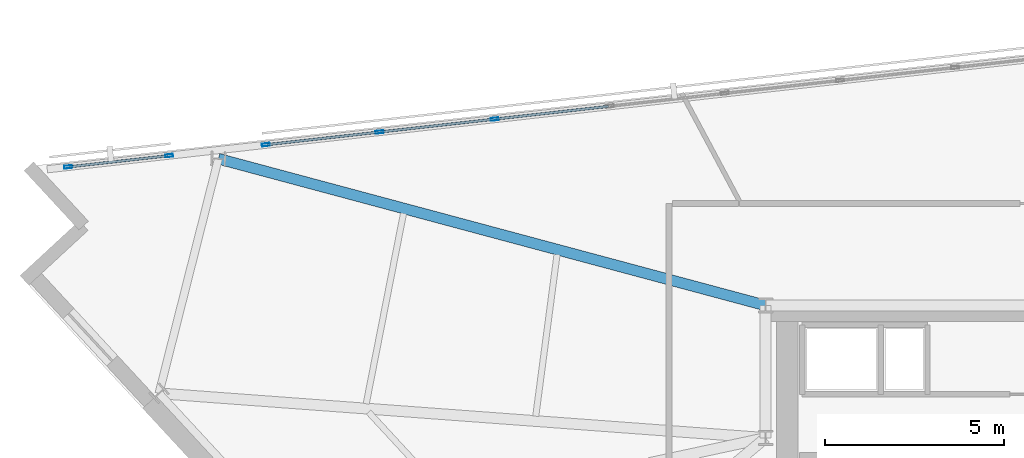
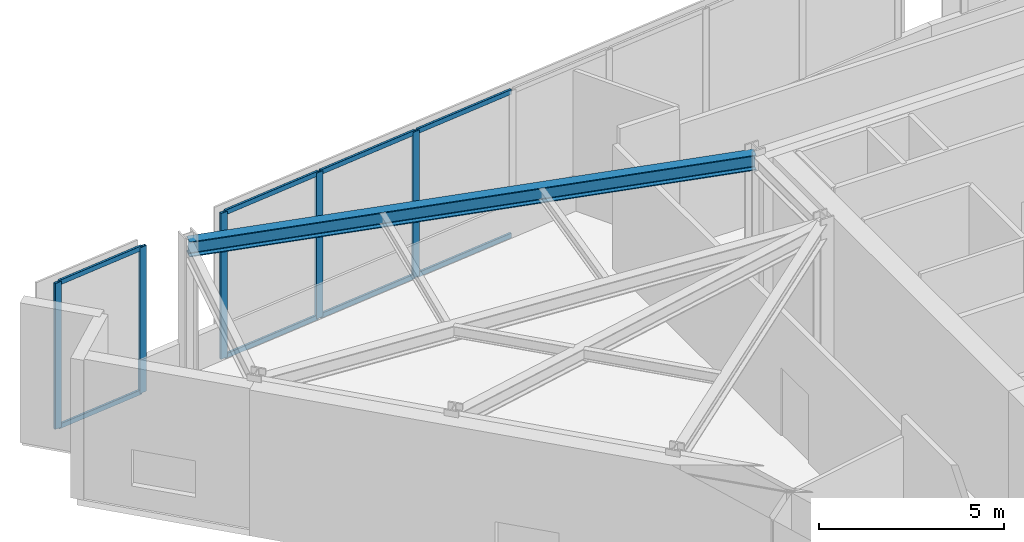
# One storey, part 2 of 12: 13 members, 1 beam, 2 elements without a shape of their own.
"""IFC4 building model written with IfcOpenShell, lengths in metres."""

from ifc_helpers import new_model, si_unit, direction, frame, origin, origin_2d, place, context, subcontext, project, spatial, hollow_rectangle, i_section, extrude, material, material_profile, profile_set, type_object, element, aggregate, save


model = new_model("IFC4")

# Units and contexts
model_context = context("Model", 3, precision=1e-05, world=origin(), true_north=direction((0.0, 1.0)))
body_context = subcontext(model_context, "Body", "Model", "MODEL_VIEW")
ifc_project = project(units=[si_unit("LENGTHUNIT", "METRE"), si_unit("AREAUNIT", "SQUARE_METRE"), si_unit("VOLUMEUNIT", "CUBIC_METRE"), si_unit("PLANEANGLEUNIT", "RADIAN"), si_unit("MASSUNIT", "GRAM", prefix="KILO")], contexts=[model_context])

# Site, building, storey
site_placement = place(None, origin())
site = spatial("IfcSite", under=ifc_project, at=site_placement, CompositionType="ELEMENT")
building_placement = place(site_placement, origin())
building = spatial("IfcBuilding", under=site, at=building_placement, Name="Narakoshi Arena Tower", CompositionType="ELEMENT")
storey_placement = place(building_placement, frame((0.0, 0.0, 298.179931640625)))
storey = spatial("IfcBuildingStorey", under=building, at=storey_placement, Name="L81", CompositionType="ELEMENT", Elevation=298.179931640625)

# Beam
ifc_material_1 = material(Name="Structural steel S355J2", Category="steel")
ifc_material_profile_1 = material_profile(ifc_material_1, i_section(OverallWidth=0.300048828125, OverallDepth=0.5, WebThickness=0.014404296875, FlangeThickness=0.028076171875, FilletRadius=0.027099609375, at=origin_2d()), Name="HE500B")
ifc_profile_set_1 = profile_set([ifc_material_profile_1], Name="Structural steel S355J2")
beam_type = type_object("IfcBeamType", Name="BM-PRI-500", PredefinedType="BEAM", material=ifc_profile_set_1)
beam_placement = place(storey_placement, frame((72.0, 56.5, 4.35009765625), z_axis=(-0.965877018817, 0.259001128418, 0.0), x_axis=(-0.259001128418, -0.965877018817, 0.0)))
element("IfcBeam", 1, at=beam_placement, inside=storey, type_object=beam_type, Name="L81 Radial Primary Floor Girder 08", PredefinedType="BEAM", context=body_context, shape_type="SweptSolid", body=[
    extrude(i_section(OverallWidth=0.300048828125, OverallDepth=0.5, WebThickness=0.014404296875, FlangeThickness=0.028076171875, FilletRadius=0.027099609375, at=origin_2d()), origin(), (0.0, 0.0, 1.0), 15.822998046875),
])

# Curtain wall, members
ifc_material_2 = material(Name="Anodised bronze aluminium 6063-T6", Category="aluminium")
curtain_wall_type = type_object("IfcCurtainWallType", Name="CW-CRN-FACET", PredefinedType="NOTDEFINED", material=ifc_material_2)
curtain_wall_1_placement = place(storey_placement, origin())
curtain_wall_1 = element("IfcCurtainWall", 2, at=curtain_wall_1_placement, inside=storey, type_object=curtain_wall_type, Name="L81 Slanted-Cut Crown Curtain Wall 5-1", PredefinedType="NOTDEFINED")
ifc_material_profile_2 = material_profile(ifc_material_2, hollow_rectangle(XDim=0.080078125, YDim=0.219970703125, WallThickness=0.0048828125, OuterFilletRadius=0.006103515625, at=origin_2d()), Name="MUL220x80x5")
ifc_profile_set_2 = profile_set([ifc_material_profile_2], Name="Anodised bronze aluminium 6063-T6")
member_type_1 = type_object("IfcMemberType", Name="MEM-MUL-220", PredefinedType="MULLION", material=ifc_profile_set_2)
member_1_placement = place(storey_placement, frame((52.522216796875, 60.369384765625, 0.0), z_axis=(0.0, 0.0, 1.0), x_axis=(-0.1113948238, 0.993776228952, 0.0)))
member_1 = element("IfcMember", 3, at=member_1_placement, type_object=member_type_1, Name="CW-06 mullion 1", PredefinedType="MULLION", context=body_context, shape_type="SweptSolid", body=[
    extrude(hollow_rectangle(XDim=0.080078125, YDim=0.219970703125, WallThickness=0.0048828125, OuterFilletRadius=0.006103515625, at=origin_2d()), origin(), (0.0, 0.0, 1.0), 4.800048828125),
])
member_2_placement = place(storey_placement, frame((55.34130859375, 60.685302734375, 0.0), z_axis=(0.0, 0.0, 1.0), x_axis=(-0.1113948238, 0.993776228952, 0.0)))
member_2 = element("IfcMember", 4, at=member_2_placement, type_object=member_type_1, Name="CW-06 mullion 2", PredefinedType="MULLION", context=body_context, shape_type="SweptSolid", body=[
    extrude(hollow_rectangle(XDim=0.080078125, YDim=0.219970703125, WallThickness=0.0048828125, OuterFilletRadius=0.006103515625, at=origin_2d()), origin(), (0.0, 0.0, 1.0), 4.800048828125),
])

curtain_wall_2_placement = place(storey_placement, origin())
curtain_wall_2 = element("IfcCurtainWall", 5, at=curtain_wall_2_placement, inside=storey, type_object=curtain_wall_type, Name="L81 Slanted-Cut Crown Curtain Wall 5-2", PredefinedType="NOTDEFINED")
member_3_placement = place(storey_placement, frame((58.040771484375, 60.988037109375, 0.0), z_axis=(0.0, 0.0, 1.0), x_axis=(-0.11139525537, 0.993776180576, 0.0)))
member_3 = element("IfcMember", 6, at=member_3_placement, type_object=member_type_1, Name="CW-06 mullion 1", PredefinedType="MULLION", context=body_context, shape_type="SweptSolid", body=[
    extrude(hollow_rectangle(XDim=0.080078125, YDim=0.219970703125, WallThickness=0.0048828125, OuterFilletRadius=0.006103515625, at=origin_2d()), origin(), (0.0, 0.0, 1.0), 4.800048828125),
])
member_4_placement = place(storey_placement, frame((61.216796875, 61.343994140625, 0.0), z_axis=(0.0, 0.0, 1.0), x_axis=(-0.11139525537, 0.993776180576, 0.0)))
member_4 = element("IfcMember", 7, at=member_4_placement, type_object=member_type_1, Name="CW-06 mullion 2", PredefinedType="MULLION", context=body_context, shape_type="SweptSolid", body=[
    extrude(hollow_rectangle(XDim=0.080078125, YDim=0.219970703125, WallThickness=0.0048828125, OuterFilletRadius=0.006103515625, at=origin_2d()), origin(), (0.0, 0.0, 1.0), 4.800048828125),
])
member_5_placement = place(storey_placement, frame((64.432373046875, 61.704345703125, 0.0), z_axis=(0.0, 0.0, 1.0), x_axis=(-0.11139525537, 0.993776180576, 0.0)))
member_5 = element("IfcMember", 8, at=member_5_placement, type_object=member_type_1, Name="CW-06 mullion 3", PredefinedType="MULLION", context=body_context, shape_type="SweptSolid", body=[
    extrude(hollow_rectangle(XDim=0.080078125, YDim=0.219970703125, WallThickness=0.0048828125, OuterFilletRadius=0.006103515625, at=origin_2d()), origin(), (0.0, 0.0, 1.0), 4.800048828125),
])

# Member
ifc_material_profile_3 = material_profile(ifc_material_2, hollow_rectangle(XDim=0.070068359375, YDim=0.159912109375, WallThickness=0.00390625, OuterFilletRadius=0.0048828125, at=origin_2d()), Name="TRN160x70x4")
ifc_profile_set_3 = profile_set([ifc_material_profile_3], Name="Anodised bronze aluminium 6063-T6")
member_type_2 = type_object("IfcMemberType", Name="MEM-TRN-160", PredefinedType="USERDEFINED", material=ifc_profile_set_3)
member_6_placement = place(storey_placement, frame((52.56201171875, 60.373779296875, 0.03515625), z_axis=(0.993774165125, 0.11141323409, 0.0), x_axis=(-0.11141323409, 0.993774165125, 0.0)))
member_6 = element("IfcMember", 9, at=member_6_placement, type_object=member_type_2, Name="CW-06 transom 1.1", ObjectType="TRANSOM", PredefinedType="USERDEFINED", context=body_context, shape_type="SweptSolid", body=[
    extrude(hollow_rectangle(XDim=0.070068359375, YDim=0.159912109375, WallThickness=0.00390625, OuterFilletRadius=0.0048828125, at=origin_2d()), origin(), (0.0, 0.0, 1.0), 2.756591796875),
])

member_7_placement = place(storey_placement, frame((52.56201171875, 60.373779296875, 4.76513671875), z_axis=(0.993774165125, 0.11141323409, 0.0), x_axis=(-0.11141323409, 0.993774165125, 0.0)))
member_7 = element("IfcMember", 10, at=member_7_placement, type_object=member_type_2, Name="CW-06 transom 1.2", ObjectType="TRANSOM", PredefinedType="USERDEFINED", context=body_context, shape_type="SweptSolid", body=[
    extrude(hollow_rectangle(XDim=0.070068359375, YDim=0.159912109375, WallThickness=0.00390625, OuterFilletRadius=0.0048828125, at=origin_2d()), origin(), (0.0, 0.0, 1.0), 2.756591796875),
])

aggregate(curtain_wall_1, [member_1, member_2, member_6, member_7])

member_8_placement = place(storey_placement, frame((58.08056640625, 60.992431640625, 0.03515625), z_axis=(0.993773354848, 0.111420461294, 0.0), x_axis=(-0.111420461294, 0.993773354848, 0.0)))
member_8 = element("IfcMember", 11, at=member_8_placement, type_object=member_type_2, Name="CW-06 transom 1.1", ObjectType="TRANSOM", PredefinedType="USERDEFINED", context=body_context, shape_type="SweptSolid", body=[
    extrude(hollow_rectangle(XDim=0.070068359375, YDim=0.159912109375, WallThickness=0.00390625, OuterFilletRadius=0.0048828125, at=origin_2d()), origin(), (0.0, 0.0, 1.0), 3.11572265625),
])

member_9_placement = place(storey_placement, frame((58.08056640625, 60.992431640625, 4.76513671875), z_axis=(0.993773354848, 0.111420461294, 0.0), x_axis=(-0.111420461294, 0.993773354848, 0.0)))
member_9 = element("IfcMember", 12, at=member_9_placement, type_object=member_type_2, Name="CW-06 transom 1.2", ObjectType="TRANSOM", PredefinedType="USERDEFINED", context=body_context, shape_type="SweptSolid", body=[
    extrude(hollow_rectangle(XDim=0.070068359375, YDim=0.159912109375, WallThickness=0.00390625, OuterFilletRadius=0.0048828125, at=origin_2d()), origin(), (0.0, 0.0, 1.0), 3.11572265625),
])

member_10_placement = place(storey_placement, frame((61.25634765625, 61.348388671875, 0.03515625), z_axis=(0.993775713066, 0.111399426033, 0.0), x_axis=(-0.111399426033, 0.993775713066, 0.0)))
member_10 = element("IfcMember", 13, at=member_10_placement, type_object=member_type_2, Name="CW-06 transom 2.1", ObjectType="TRANSOM", PredefinedType="USERDEFINED", context=body_context, shape_type="SweptSolid", body=[
    extrude(hollow_rectangle(XDim=0.070068359375, YDim=0.159912109375, WallThickness=0.00390625, OuterFilletRadius=0.0048828125, at=origin_2d()), origin(), (0.0, 0.0, 1.0), 3.15576171875),
])

member_11_placement = place(storey_placement, frame((61.25634765625, 61.348388671875, 4.76513671875), z_axis=(0.993775713066, 0.111399426033, 0.0), x_axis=(-0.111399426033, 0.993775713066, 0.0)))
member_11 = element("IfcMember", 14, at=member_11_placement, type_object=member_type_2, Name="CW-06 transom 2.2", ObjectType="TRANSOM", PredefinedType="USERDEFINED", context=body_context, shape_type="SweptSolid", body=[
    extrude(hollow_rectangle(XDim=0.070068359375, YDim=0.159912109375, WallThickness=0.00390625, OuterFilletRadius=0.0048828125, at=origin_2d()), origin(), (0.0, 0.0, 1.0), 3.15576171875),
])

member_12_placement = place(storey_placement, frame((64.47216796875, 61.708984375, 0.03515625), z_axis=(0.993784274501, 0.111323024366, 0.0), x_axis=(-0.111323024366, 0.993784274501, 0.0)))
member_12 = element("IfcMember", 15, at=member_12_placement, type_object=member_type_2, Name="CW-06 transom 3.1", ObjectType="TRANSOM", PredefinedType="USERDEFINED", context=body_context, shape_type="SweptSolid", body=[
    extrude(hollow_rectangle(XDim=0.070068359375, YDim=0.159912109375, WallThickness=0.00390625, OuterFilletRadius=0.0048828125, at=origin_2d()), origin(), (0.0, 0.0, 1.0), 3.15576171875),
])

member_13_placement = place(storey_placement, frame((64.47216796875, 61.708984375, 4.76513671875), z_axis=(0.993784274501, 0.111323024366, 0.0), x_axis=(-0.111323024366, 0.993784274501, 0.0)))
member_13 = element("IfcMember", 16, at=member_13_placement, type_object=member_type_2, Name="CW-06 transom 3.2", ObjectType="TRANSOM", PredefinedType="USERDEFINED", context=body_context, shape_type="SweptSolid", body=[
    extrude(hollow_rectangle(XDim=0.070068359375, YDim=0.159912109375, WallThickness=0.00390625, OuterFilletRadius=0.0048828125, at=origin_2d()), origin(), (0.0, 0.0, 1.0), 3.15576171875),
])

aggregate(curtain_wall_2, [member_3, member_4, member_5, member_8, member_9, member_10, member_11, member_12, member_13])

save(model, "model.ifc")
